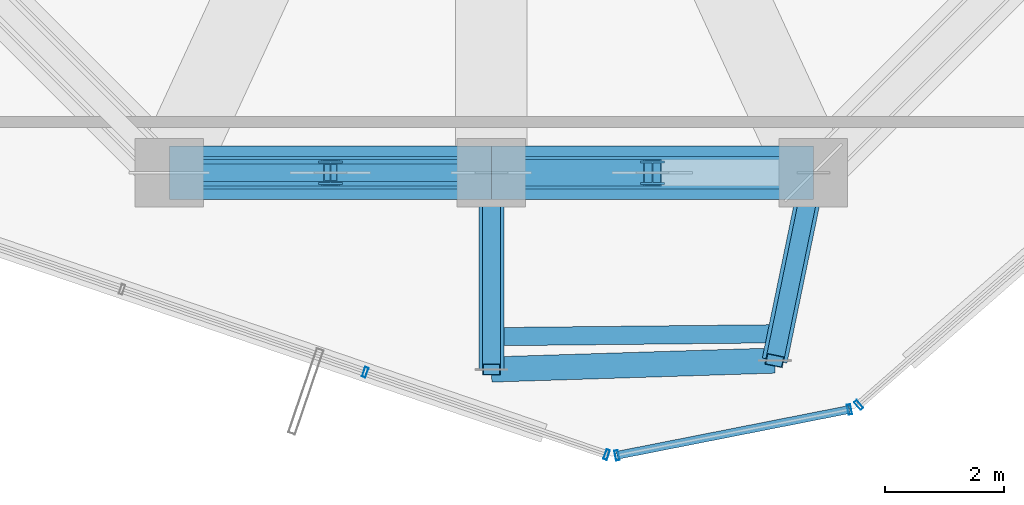
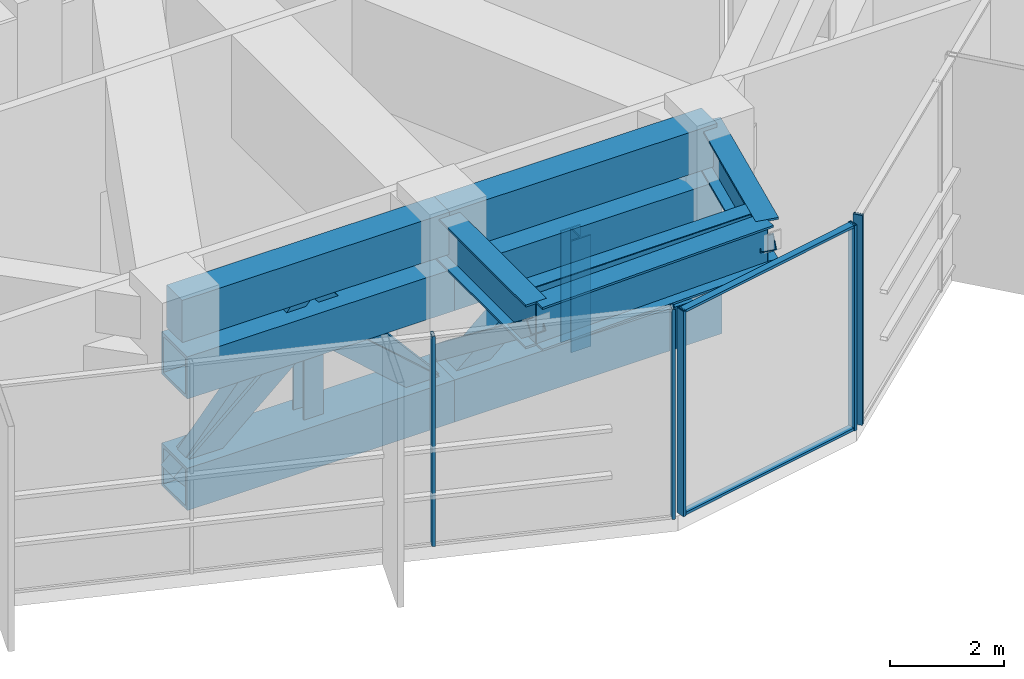
# One storey, part 7 of 36: 20 members, 6 beams, 3 elements without a shape of their own.
"""IFC4 building model written with IfcOpenShell, lengths in metres."""

from ifc_helpers import new_model, si_unit, direction, frame, origin, origin_2d, place, context, subcontext, project, spatial, rectangle, hollow_rectangle, i_section, extrude, source, transform, mapped, material, layer, layer_set, material_profile, profile_set, type_object, element, aggregate, save


model = new_model("IFC4")

# Units and contexts
model_context = context("Model", 3, precision=1e-05, world=origin(), true_north=direction((0.0, 1.0)))
body_context = subcontext(model_context, "Body", "Model", "MODEL_VIEW")
ifc_project = project(units=[si_unit("LENGTHUNIT", "METRE"), si_unit("AREAUNIT", "SQUARE_METRE"), si_unit("VOLUMEUNIT", "CUBIC_METRE"), si_unit("PLANEANGLEUNIT", "RADIAN"), si_unit("MASSUNIT", "GRAM", prefix="KILO")], contexts=[model_context])

# Site, building, storey
site_placement = place(None, origin())
site = spatial("IfcSite", under=ifc_project, at=site_placement, CompositionType="ELEMENT")
building_placement = place(site_placement, origin())
building = spatial("IfcBuilding", under=site, at=building_placement, Name="Veraguas Prism Commons", CompositionType="ELEMENT")
storey_placement = place(building_placement, frame((0.0, 0.0, 169.550048828125)))
storey = spatial("IfcBuildingStorey", under=building, at=storey_placement, Name="L48", CompositionType="ELEMENT", Elevation=169.550048828125)

# Members
ifc_material_1 = material(Name="Steel ASTM A913 Grade 65", Category="steel")
ifc_material_profile_1 = material_profile(ifc_material_1, hollow_rectangle(XDim=0.89990234375, YDim=0.89990234375, WallThickness=0.06494140625, at=origin_2d()), Name="BOX900X900X65")
ifc_profile_set_1 = profile_set([ifc_material_profile_1], Name="Steel ASTM A913 Grade 65")
member_type_1 = type_object("IfcMemberType", Name="Belt Truss Chord L48 Box 900x900x65", PredefinedType="CHORD", material=ifc_profile_set_1)
for number, where, z_axis, x_axis, name in (
    (1, (18.60009765625, 7.800048828125, 0.550048828125), (1.0, 0.0, 0.0), (0.0, 1.0, 0.0), "Perimeter Belt Truss Chord Bottom L48-10"),
    (2, (18.60009765625, 7.800048828125, 2.929931640625), (1.0, 0.0, 0.0), (0.0, 1.0, 0.0), "Perimeter Belt Truss Chord Top L48-10"),
    (3, (24.0, 7.800048828125, 0.550048828125), (1.0, 0.0, 0.0), (0.0, 1.0, 0.0), "Perimeter Belt Truss Chord Bottom L48-11"),
    (4, (24.0, 7.800048828125, 2.929931640625), (1.0, 0.0, 0.0), (0.0, 1.0, 0.0), "Perimeter Belt Truss Chord Top L48-11"),
):
    element("IfcMember", number, at=place(storey_placement, frame(where, z_axis=z_axis, x_axis=x_axis)), inside=storey, type_object=member_type_1, Name=name, PredefinedType="CHORD", context=body_context, shape_type="SweptSolid", body=[
        extrude(hollow_rectangle(XDim=0.89990234375, YDim=0.89990234375, WallThickness=0.06494140625, at=origin_2d()), origin(), (0.0, 0.0, 1.0), 5.39990234375),
    ])
ifc_material_2 = material(Name="Steel ASTM A992 Grade 50", Category="steel")
ifc_material_profile_2 = material_profile(ifc_material_2, i_section(OverallWidth=0.39794921875, OverallDepth=0.386962890625, WebThickness=0.01904296875, FlangeThickness=0.0302734375, at=origin_2d()), Name="W360X262")
ifc_profile_set_2 = profile_set([ifc_material_profile_2], Name="Steel ASTM A992 Grade 50")
member_type_2 = type_object("IfcMemberType", Name="Belt Truss Vertical Strut W360x262", PredefinedType="STRUT", material=ifc_profile_set_2)
for number, where, z_axis, x_axis, name in (
    (5, (21.300048828125, 7.800048828125, 0.550048828125), (0.0, 0.0, 1.0), (1.0, 0.0, 0.0), "Perimeter Belt Truss Strut L48-10"),
    (6, (26.699951171875, 7.800048828125, 0.550048828125), (0.0, 0.0, 1.0), (1.0, 0.0, 0.0), "Perimeter Belt Truss Strut L48-11"),
):
    element("IfcMember", number, at=place(storey_placement, frame(where, z_axis=z_axis, x_axis=x_axis)), inside=storey, type_object=member_type_2, Name=name, PredefinedType="STRUT", context=body_context, shape_type="SweptSolid", body=[
        extrude(i_section(OverallWidth=0.39794921875, OverallDepth=0.386962890625, WebThickness=0.01904296875, FlangeThickness=0.0302734375, at=origin_2d()), origin(), (0.0, 0.0, 1.0), 2.3798828125),
    ])
ifc_material_3 = material(Name="Steel ASTM A500 Grade C", Category="steel")
ifc_material_profile_3 = material_profile(ifc_material_3, hollow_rectangle(XDim=0.449951171875, YDim=0.449951171875, WallThickness=0.02197265625, at=origin_2d()), Name="HSS450X450X22")
ifc_profile_set_3 = profile_set([ifc_material_profile_3], Name="Steel ASTM A500 Grade C")
member_type_3 = type_object("IfcMemberType", Name="Mid Belt Diagonal HSS 450x450x22", PredefinedType="BRACE", material=ifc_profile_set_3)
for number, where, z_axis, x_axis, name in (
    (7, (18.60009765625, 7.800048828125, 0.550048828125), (0.75017230872, 0.0, 0.661242396727), (0.0, 1.0, 0.0), "Perimeter Belt Truss Brace L48-10A"),
    (8, (24.0, 7.800048828125, 0.550048828125), (-0.75017230872, 0.0, 0.661242396727), (0.0, -1.0, 0.0), "Perimeter Belt Truss Brace L48-10B"),
    (9, (24.0, 7.800048828125, 0.550048828125), (0.75017230872, 0.0, 0.661242396727), (0.0, 1.0, 0.0), "Perimeter Belt Truss Brace L48-11A"),
):
    element("IfcMember", number, at=place(storey_placement, frame(where, z_axis=z_axis, x_axis=x_axis)), inside=storey, type_object=member_type_3, Name=name, PredefinedType="BRACE", context=body_context, shape_type="SweptSolid", body=[
        extrude(hollow_rectangle(XDim=0.449951171875, YDim=0.449951171875, WallThickness=0.02197265625, at=origin_2d()), origin(), (0.0, 0.0, 1.0), 3.59912109375),
    ])

# Beams
ifc_material_4 = material(Name="Concrete C50/60", Category="concrete")
ifc_material_profile_4 = material_profile(ifc_material_4, rectangle(XDim=0.550048828125, YDim=0.89990234375, at=origin_2d()), Name="RC550X900")
ifc_profile_set_4 = profile_set([ifc_material_profile_4], Name="Concrete C50/60")
beam_type_1 = type_object("IfcBeamType", Name="Perimeter Spandrel Lower RC 550x900", PredefinedType="SPANDREL", material=ifc_profile_set_4)
for number, where, z_axis, x_axis, name in (
    (10, (18.60009765625, 7.800048828125, 4.030029296875), (1.0, 0.0, 0.0), (0.0, 1.0, 0.0), "Perimeter Spandrel Beam L48-SP10"),
    (11, (24.0, 7.800048828125, 4.030029296875), (1.0, 0.0, 0.0), (0.0, 1.0, 0.0), "Perimeter Spandrel Beam L48-SP11"),
):
    element("IfcBeam", number, at=place(storey_placement, frame(where, z_axis=z_axis, x_axis=x_axis)), inside=storey, type_object=beam_type_1, Name=name, PredefinedType="SPANDREL", context=body_context, shape_type="SweptSolid", body=[
        extrude(rectangle(XDim=0.550048828125, YDim=0.89990234375, at=origin_2d()), origin(), (0.0, 0.0, 1.0), 5.39990234375),
    ])

# Members
ifc_material_profile_5 = material_profile(ifc_material_3, hollow_rectangle(XDim=0.300048828125, YDim=0.300048828125, WallThickness=0.01611328125, at=origin_2d()), Name="HSS300X300X16")
ifc_profile_set_5 = profile_set([ifc_material_profile_5], Name="Steel ASTM A500 Grade C")
member_type_4 = type_object("IfcMemberType", Name="Sky Pool Bracket Strut HSS 300x300x16", PredefinedType="STRUT", material=ifc_profile_set_5)
member_1_placement = place(storey_placement, frame((24.0, 7.800048828125, 1.349853515625), z_axis=(0.0, -0.791283713967, 0.611449167152), x_axis=(1.0, 0.0, 0.0)))
element("IfcMember", 12, at=member_1_placement, inside=storey, type_object=member_type_4, Name="Sky Pool Sub-Truss Raker Strut 01A", PredefinedType="STRUT", context=body_context, shape_type="SweptSolid", body=[
    extrude(hollow_rectangle(XDim=0.300048828125, YDim=0.300048828125, WallThickness=0.01611328125, at=origin_2d()), origin(), (0.0, 0.0, 1.0), 4.17041015625),
])
member_2_placement = place(storey_placement, frame((29.39990234375, 7.800048828125, 1.349853515625), z_axis=(-0.158331345585, -0.767449042854, 0.621251278975), x_axis=(0.979374507574, -0.20205339372, 0.0)))
element("IfcMember", 13, at=member_2_placement, inside=storey, type_object=member_type_4, Name="Sky Pool Sub-Truss Raker Strut 01B", PredefinedType="STRUT", context=body_context, shape_type="SweptSolid", body=[
    extrude(hollow_rectangle(XDim=0.300048828125, YDim=0.300048828125, WallThickness=0.01611328125, at=origin_2d()), origin(), (0.0, 0.0, 1.0), 4.104736328125),
])
for number, where, z_axis, x_axis, name in (
    (14, (18.60009765625, 7.800048828125, 0.599853515625), (0.649576405695, 0.0, 0.760296319316), (0.0, 1.0, 0.0), "Sky Pool Sub-Truss Strut 02A"),
    (15, (24.0, 7.800048828125, 0.599853515625), (-0.649576405695, 0.0, 0.760296319316), (0.0, -1.0, 0.0), "Sky Pool Sub-Truss Strut 02B"),
):
    element("IfcMember", number, at=place(storey_placement, frame(where, z_axis=z_axis, x_axis=x_axis)), inside=storey, type_object=member_type_4, Name=name, PredefinedType="STRUT", context=body_context, shape_type="SweptSolid", body=[
        extrude(hollow_rectangle(XDim=0.300048828125, YDim=0.300048828125, WallThickness=0.01611328125, at=origin_2d()), origin(), (0.0, 0.0, 1.0), 4.156494140625),
    ])

# Beams
ifc_material_profile_6 = material_profile(ifc_material_2, i_section(OverallWidth=0.423095703125, OverallDepth=0.93310546875, WebThickness=0.02392578125, FlangeThickness=0.042724609375, at=origin_2d()), Name="W920X446")
ifc_profile_set_6 = profile_set([ifc_material_profile_6], Name="Steel ASTM A992 Grade 50")
beam_type_2 = type_object("IfcBeamType", Name="Sky Pool Raker Girder W920x446", PredefinedType="BEAM", material=ifc_profile_set_6)
beam_1_placement = place(storey_placement, frame((24.0, 7.800048828125, 3.933349609375), z_axis=(0.0, -1.0, 0.0), x_axis=(1.0, 0.0, 0.0)))
element("IfcBeam", 16, at=beam_1_placement, inside=storey, type_object=beam_type_2, Name="Sky Pool Sub-Deck West Raker Girder", PredefinedType="BEAM", context=body_context, shape_type="SweptSolid", body=[
    extrude(i_section(OverallWidth=0.423095703125, OverallDepth=0.93310546875, WebThickness=0.02392578125, FlangeThickness=0.042724609375, at=origin_2d()), origin(), (0.0, 0.0, 1.0), 3.300048828125),
])
beam_2_placement = place(storey_placement, frame((29.39990234375, 7.800048828125, 3.933349609375), z_axis=(-0.20205339372, -0.979374507574, 0.0), x_axis=(0.979374507574, -0.20205339372, 0.0)))
element("IfcBeam", 17, at=beam_2_placement, inside=storey, type_object=beam_type_2, Name="Sky Pool Sub-Deck East Raker Girder", PredefinedType="BEAM", context=body_context, shape_type="SweptSolid", body=[
    extrude(i_section(OverallWidth=0.423095703125, OverallDepth=0.93310546875, WebThickness=0.02392578125, FlangeThickness=0.042724609375, at=origin_2d()), origin(), (0.0, 0.0, 1.0), 3.216552734375),
])
beam_3_placement = place(storey_placement, frame((24.0, 4.5, 3.933349609375), z_axis=(0.999502405715, 0.031542684884, 0.0), x_axis=(-0.031542684884, 0.999502405715, 0.0)))
element("IfcBeam", 18, at=beam_3_placement, inside=storey, type_object=beam_type_2, Name="Sky Pool Sub-Deck Header Girder", PredefinedType="BEAM", context=body_context, shape_type="SweptSolid", body=[
    extrude(i_section(OverallWidth=0.423095703125, OverallDepth=0.93310546875, WebThickness=0.02392578125, FlangeThickness=0.042724609375, at=origin_2d()), origin(), (0.0, 0.0, 1.0), 4.75244140625),
])
ifc_material_profile_7 = material_profile(ifc_material_2, i_section(OverallWidth=0.305908203125, OverallDepth=0.31103515625, WebThickness=0.010986328125, FlangeThickness=0.01708984375, at=origin_2d()), Name="W310X107")
ifc_profile_set_7 = profile_set([ifc_material_profile_7], Name="Steel ASTM A992 Grade 50")
beam_type_3 = type_object("IfcBeamType", Name="Terrace Deck Joist W310x107", PredefinedType="JOIST", material=ifc_profile_set_7)
beam_4_placement = place(storey_placement, frame((24.0, 5.050048828125, 4.244384765625), z_axis=(0.999946541532, 0.010339926407, 0.0), x_axis=(-0.010339926407, 0.999946541532, 0.0)))
element("IfcBeam", 19, at=beam_4_placement, inside=storey, type_object=beam_type_3, Name="Sky Pool Sub-Deck Tie Beam", PredefinedType="JOIST", context=body_context, shape_type="SweptSolid", body=[
    extrude(i_section(OverallWidth=0.305908203125, OverallDepth=0.31103515625, WebThickness=0.010986328125, FlangeThickness=0.01708984375, at=origin_2d()), origin(), (0.0, 0.0, 1.0), 4.84033203125),
])

# Curtain wall, members
ifc_material_5 = material(Name="Anodised aluminium EN AW-6063 T6", Category="aluminium")
ifc_layer = layer(ifc_material_5, 0.169921875, Name="Unitised Flush Curtain Wall Zone 2", Category="aluminium")
ifc_layer_set = layer_set([ifc_layer], Name="Anodised aluminium EN AW-6063 T6")
curtain_wall_type = type_object("IfcCurtainWallType", Name="Unitised Flush Curtain Wall Zone 2", PredefinedType="NOTDEFINED", material=ifc_layer_set)
curtain_wall_1_placement = place(storey_placement, origin())
curtain_wall_1 = element("IfcCurtainWall", 20, at=curtain_wall_1_placement, inside=storey, type_object=curtain_wall_type, Name="Tower Facade Curtain Wall L48-F4", PredefinedType="NOTDEFINED")
ifc_material_profile_8 = material_profile(ifc_material_5, hollow_rectangle(XDim=0.06005859375, YDim=0.169921875, WallThickness=0.00390625, at=origin_2d()), Name="AL60X170X4")
ifc_profile_set_8 = profile_set([ifc_material_profile_8], Name="Anodised aluminium EN AW-6063 T6")
member_type_5 = type_object("IfcMemberType", Name="Curtain Wall Mullion Lower AL 60x170x4", PredefinedType="MULLION", material=ifc_profile_set_8)
shared_shape_1 = source(origin(), body_context, "Body", "SweptSolid", [
    extrude(hollow_rectangle(XDim=0.06005859375, YDim=0.169921875, WallThickness=0.00390625, at=origin_2d()), origin(), (0.0, 0.0, 1.0), 4.47998046875),
])
member_3_placement = place(storey_placement, frame((21.88330078125, 4.453857421875, 0.0), z_axis=(0.0, 0.0, 1.0), x_axis=(0.946424609155, -0.322924850679, 0.0)))
member_3 = element("IfcMember", 21, at=member_3_placement, type_object=member_type_5, Name="CW-Z2 Mullion 4", PredefinedType="MULLION", context=body_context, shape_type="MappedRepresentation", body=[
    mapped(shared_shape_1, transform((0.0, 0.0, 0.0), scale=1.0)),
])
member_4_placement = place(storey_placement, frame((25.9326171875, 3.072265625, 0.0), z_axis=(0.0, 0.0, 1.0), x_axis=(0.946424609155, -0.322924850679, 0.0)))
member_4 = element("IfcMember", 22, at=member_4_placement, type_object=member_type_5, Name="CW-Z2 Mullion 5", PredefinedType="MULLION", context=body_context, shape_type="MappedRepresentation", body=[
    mapped(shared_shape_1, transform((0.0, 0.0, 0.0), scale=1.0)),
])
aggregate(curtain_wall_1, [member_3, member_4])

# Curtain wall, member
curtain_wall_2_placement = place(storey_placement, origin())
curtain_wall_2 = element("IfcCurtainWall", 23, at=curtain_wall_2_placement, inside=storey, type_object=curtain_wall_type, Name="Tower Facade Curtain Wall L48-F5", PredefinedType="NOTDEFINED")
member_5_placement = place(storey_placement, frame((30.16015625, 3.90625, 0.0), z_axis=(0.0, 0.0, 1.0), x_axis=(0.752872280062, 0.658166642967, 0.0)))
member_5 = element("IfcMember", 24, at=member_5_placement, type_object=member_type_5, Name="CW-Z2 Mullion 1", PredefinedType="MULLION", context=body_context, shape_type="MappedRepresentation", body=[
    mapped(shared_shape_1, transform((0.0, 0.0, 0.0), scale=1.0)),
])
aggregate(curtain_wall_2, [member_5])

# Curtain wall, members
curtain_wall_3_placement = place(storey_placement, origin())
curtain_wall_3 = element("IfcCurtainWall", 25, at=curtain_wall_3_placement, inside=storey, type_object=curtain_wall_type, Name="Chamfer Curtain Wall L48-C5", PredefinedType="NOTDEFINED")
ifc_material_profile_9 = material_profile(ifc_material_5, hollow_rectangle(XDim=0.054931640625, YDim=0.135009765625, WallThickness=0.0029296875, at=origin_2d()), Name="AL55X135X3")
ifc_profile_set_9 = profile_set([ifc_material_profile_9], Name="Anodised aluminium EN AW-6063 T6")
member_type_6 = type_object("IfcMemberType", Name="Curtain Wall Transom Standard AL 55x135x3", PredefinedType="USERDEFINED", material=ifc_profile_set_9)
shared_shape_2 = source(origin(), body_context, "Body", "SweptSolid", [
    extrude(hollow_rectangle(XDim=0.054931640625, YDim=0.135009765625, WallThickness=0.0029296875, at=origin_2d()), origin(), (0.0, 0.0, 1.0), 3.97314453125),
])
member_6_placement = place(storey_placement, frame((26.106201171875, 3.060546875, 0.02734375), z_axis=(0.9810878494, 0.193562991708, 0.0), x_axis=(0.0, 0.0, 1.0)))
member_6 = element("IfcMember", 26, at=member_6_placement, type_object=member_type_6, Name="CW-Z2 Transom 1", ObjectType="TRANSOM", PredefinedType="USERDEFINED", context=body_context, shape_type="MappedRepresentation", body=[
    mapped(shared_shape_2, transform((0.0, 0.0, 0.0), scale=1.0)),
])
member_7_placement = place(storey_placement, frame((26.106201171875, 3.060546875, 4.3525390625), z_axis=(0.9810878494, 0.193562991708, 0.0), x_axis=(0.0, 0.0, 1.0)))
member_7 = element("IfcMember", 27, at=member_7_placement, type_object=member_type_6, Name="CW-Z2 Transom 2", ObjectType="TRANSOM", PredefinedType="USERDEFINED", context=body_context, shape_type="MappedRepresentation", body=[
    mapped(shared_shape_2, transform((0.0, 0.0, 0.0), scale=1.0)),
])
shared_shape_3 = source(origin(), body_context, "Body", "SweptSolid", [
    extrude(hollow_rectangle(XDim=0.06005859375, YDim=0.169921875, WallThickness=0.00390625, at=origin_2d()), origin(), (0.0, 0.0, 1.0), 4.3798828125),
])
member_8_placement = place(storey_placement, frame((26.106201171875, 3.060546875, 0.0), z_axis=(0.0, 0.0, 1.0), x_axis=(0.981090517443, 0.193549468051, 0.0)))
member_8 = element("IfcMember", 28, at=member_8_placement, type_object=member_type_5, Name="CW-Z2 Mullion 1", PredefinedType="MULLION", context=body_context, shape_type="MappedRepresentation", body=[
    mapped(shared_shape_3, transform((0.0, 0.0, 0.0), scale=1.0)),
])
member_9_placement = place(storey_placement, frame((30.004150390625, 3.82958984375, 0.0), z_axis=(0.0, 0.0, 1.0), x_axis=(0.981090517443, 0.193549468051, 0.0)))
member_9 = element("IfcMember", 29, at=member_9_placement, type_object=member_type_5, Name="CW-Z2 Mullion 2", PredefinedType="MULLION", context=body_context, shape_type="MappedRepresentation", body=[
    mapped(shared_shape_3, transform((0.0, 0.0, 0.0), scale=1.0)),
])
aggregate(curtain_wall_3, [member_8, member_9, member_6, member_7])

save(model, "model.ifc")
